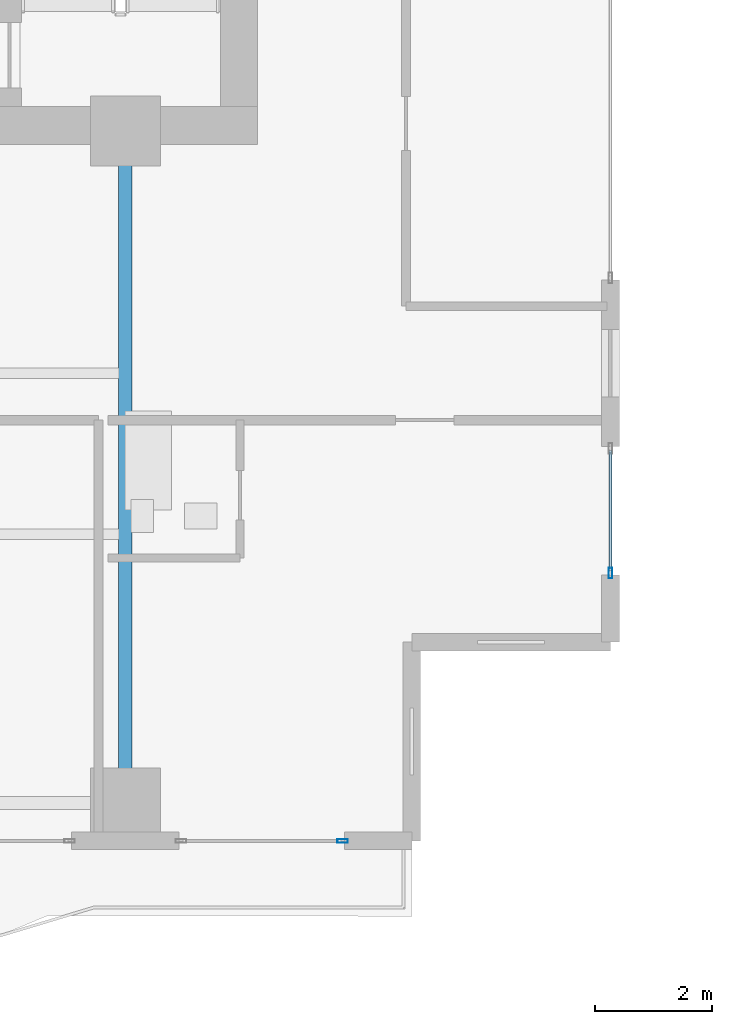
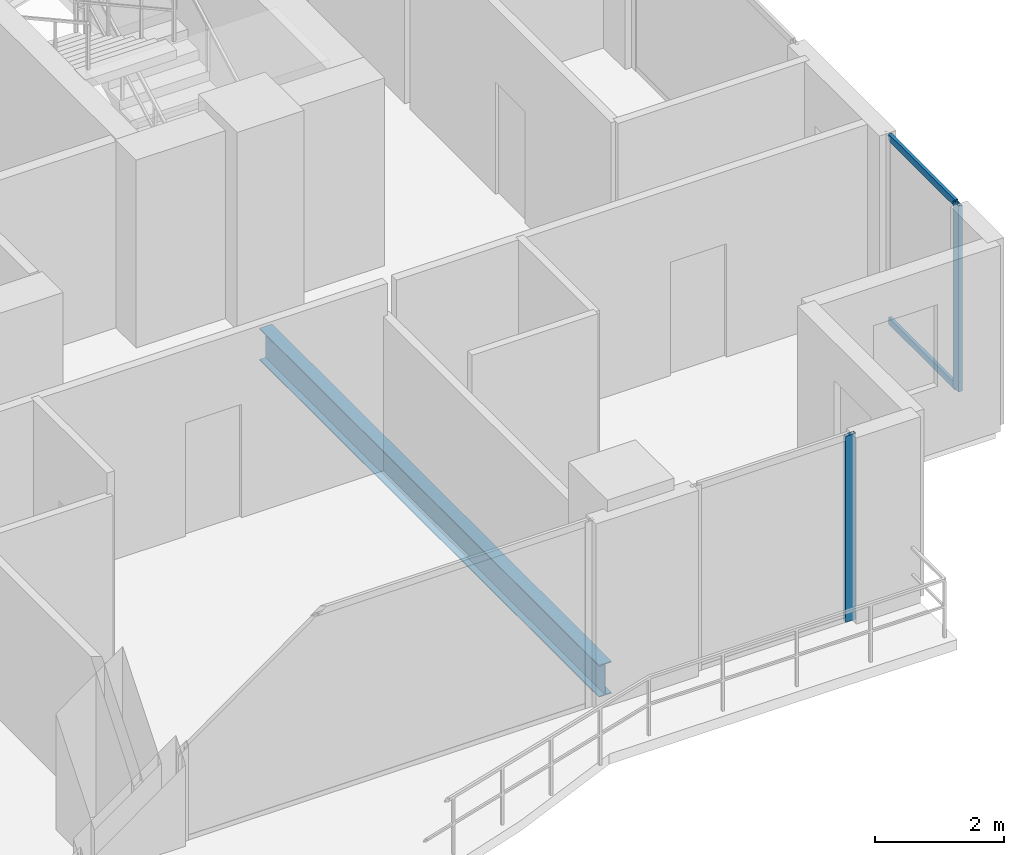
# One storey, part 10 of 32: 4 members, 1 beam, 2 elements without a shape of their own.
"""IFC4 building model written with IfcOpenShell, lengths in metres."""

from ifc_helpers import new_model, si_unit, direction, frame, origin, origin_2d, place, context, subcontext, project, spatial, hollow_rectangle, i_section, extrude, material, layer, layer_set, material_profile, profile_set, type_object, element, aggregate, save


model = new_model("IFC4")

# Units and contexts
model_context = context("Model", 3, precision=1e-05, world=origin(), true_north=direction((0.0, 1.0)))
body_context = subcontext(model_context, "Body", "Model", "MODEL_VIEW")
ifc_project = project(units=[si_unit("LENGTHUNIT", "METRE"), si_unit("AREAUNIT", "SQUARE_METRE"), si_unit("VOLUMEUNIT", "CUBIC_METRE"), si_unit("PLANEANGLEUNIT", "RADIAN"), si_unit("MASSUNIT", "GRAM", prefix="KILO")], contexts=[model_context])

# Site, building, storey
site_placement = place(None, origin())
site = spatial("IfcSite", under=ifc_project, at=site_placement, CompositionType="ELEMENT")
building_placement = place(site_placement, origin())
building = spatial("IfcBuilding", under=site, at=building_placement, Name="Zuhayl Quay Hotel", CompositionType="ELEMENT")
storey_placement = place(building_placement, frame((0.0, 0.0, 184.89990234375)))
storey = spatial("IfcBuildingStorey", under=building, at=storey_placement, Name="L46", CompositionType="ELEMENT", Elevation=184.89990234375)

# Beam
ifc_material_1 = material(Name="Steel ASTM A992 Grade 50", Category="steel")
ifc_material_profile_1 = material_profile(ifc_material_1, i_section(OverallWidth=0.22802734375, OverallDepth=0.60693359375, WebThickness=0.01123046875, FlangeThickness=0.017333984375, at=origin_2d()), Name="W24X76")
ifc_profile_set_1 = profile_set([ifc_material_profile_1], Name="Steel ASTM A992 Grade 50")
beam_type = type_object("IfcBeamType", Name="BM_B3_W24X76", PredefinedType="BEAM", material=ifc_profile_set_1)
beam_placement = place(storey_placement, frame((13.800048828125, -6.449951171875, -0.5234375), z_axis=(0.0, 1.0, 0.0), x_axis=(-1.0, 0.0, 0.0)))
element("IfcBeam", 1, at=beam_placement, inside=storey, type_object=beam_type, Name="L46 Floor Beam FG_S_L46_4", PredefinedType="BEAM", context=body_context, shape_type="SweptSolid", body=[
    extrude(i_section(OverallWidth=0.22802734375, OverallDepth=0.60693359375, WebThickness=0.01123046875, FlangeThickness=0.017333984375, at=origin_2d()), origin(), (0.0, 0.0, 1.0), 10.550048828125),
])

# Curtain wall, member
ifc_material_2 = material(Name="Anodised Aluminium 6063-T6", Category="aluminium")
ifc_layer = layer(ifc_material_2, 0.175048828125, Name="Anodised Aluminium 6063-T6", Category="aluminium")
ifc_layer_set = layer_set([ifc_layer], Name="Anodised Aluminium 6063-T6")
curtain_wall_type = type_object("IfcCurtainWallType", Name="CW_SYS_Z3", PredefinedType="USERDEFINED", material=ifc_layer_set)
curtain_wall_1_placement = place(storey_placement, origin())
curtain_wall_1 = element("IfcCurtainWall", 2, at=curtain_wall_1_placement, inside=storey, type_object=curtain_wall_type, Name="L46 Curtain Wall ENV_L46_E14_CW2", ObjectType="UNITISED CURTAIN WALL", PredefinedType="USERDEFINED")
ifc_material_3 = material(Name="Black-anodised aluminium 6063-T6", Category="aluminium")
ifc_material_profile_2 = material_profile(ifc_material_3, hollow_rectangle(XDim=0.06494140625, YDim=0.179931640625, WallThickness=0.00341796875, at=origin_2d()), Name="ALU180X65")
ifc_profile_set_2 = profile_set([ifc_material_profile_2], Name="Black-anodised aluminium 6063-T6")
member_type_1 = type_object("IfcMemberType", Name="MB_CW_MUL_180", PredefinedType="MULLION", material=ifc_profile_set_2)
member_1_placement = place(storey_placement, frame((22.10009765625, -3.017578125, 0.0), z_axis=(0.0, 0.0, 1.0), x_axis=(1.0, 0.0, 0.0)))
member_1 = element("IfcMember", 3, at=member_1_placement, type_object=member_type_1, Name="CW-Z3 mullion 2", PredefinedType="MULLION", context=body_context, shape_type="SweptSolid", body=[
    extrude(hollow_rectangle(XDim=0.06494140625, YDim=0.179931640625, WallThickness=0.00341796875, at=origin_2d()), origin(), (0.0, 0.0, 1.0), 3.530029296875),
])

curtain_wall_2_placement = place(storey_placement, origin())
curtain_wall_2 = element("IfcCurtainWall", 4, at=curtain_wall_2_placement, inside=storey, type_object=curtain_wall_type, Name="L46 Curtain Wall ENV_L46_S_CW1", ObjectType="UNITISED CURTAIN WALL", PredefinedType="USERDEFINED")
member_2_placement = place(storey_placement, frame((17.517578125, -7.60009765625, 0.0), z_axis=(0.0, 0.0, 1.0), x_axis=(0.0, -1.0, 0.0)))
member_2 = element("IfcMember", 5, at=member_2_placement, type_object=member_type_1, Name="CW-Z3 mullion 1", PredefinedType="MULLION", context=body_context, shape_type="SweptSolid", body=[
    extrude(hollow_rectangle(XDim=0.06494140625, YDim=0.179931640625, WallThickness=0.00341796875, at=origin_2d()), origin(), (0.0, 0.0, 1.0), 3.530029296875),
])
aggregate(curtain_wall_2, [member_2])

# Member
ifc_material_profile_3 = material_profile(ifc_material_3, hollow_rectangle(XDim=0.054931640625, YDim=0.1298828125, WallThickness=0.0029296875, at=origin_2d()), Name="ALU130X55")
ifc_profile_set_3 = profile_set([ifc_material_profile_3], Name="Black-anodised aluminium 6063-T6")
member_type_2 = type_object("IfcMemberType", Name="MB_CW_TRN_130", PredefinedType="USERDEFINED", material=ifc_profile_set_3)
member_3_placement = place(storey_placement, frame((22.10009765625, -0.9150390625, 0.027587890625), z_axis=(0.0, -1.0, 0.0), x_axis=(1.0, 0.0, 0.0)))
member_3 = element("IfcMember", 6, at=member_3_placement, type_object=member_type_2, Name="CW-Z3 transom 1.1", ObjectType="TRANSOM", PredefinedType="USERDEFINED", context=body_context, shape_type="SweptSolid", body=[
    extrude(hollow_rectangle(XDim=0.054931640625, YDim=0.1298828125, WallThickness=0.0029296875, at=origin_2d()), origin(), (0.0, 0.0, 1.0), 2.070068359375),
])

member_4_placement = place(storey_placement, frame((22.10009765625, -0.9150390625, 3.502685546875), z_axis=(0.0, -1.0, 0.0), x_axis=(1.0, 0.0, 0.0)))
member_4 = element("IfcMember", 7, at=member_4_placement, type_object=member_type_2, Name="CW-Z3 transom 1.2", ObjectType="TRANSOM", PredefinedType="USERDEFINED", context=body_context, shape_type="SweptSolid", body=[
    extrude(hollow_rectangle(XDim=0.054931640625, YDim=0.1298828125, WallThickness=0.0029296875, at=origin_2d()), origin(), (0.0, 0.0, 1.0), 2.070068359375),
])

aggregate(curtain_wall_1, [member_1, member_3, member_4])

save(model, "model.ifc")
